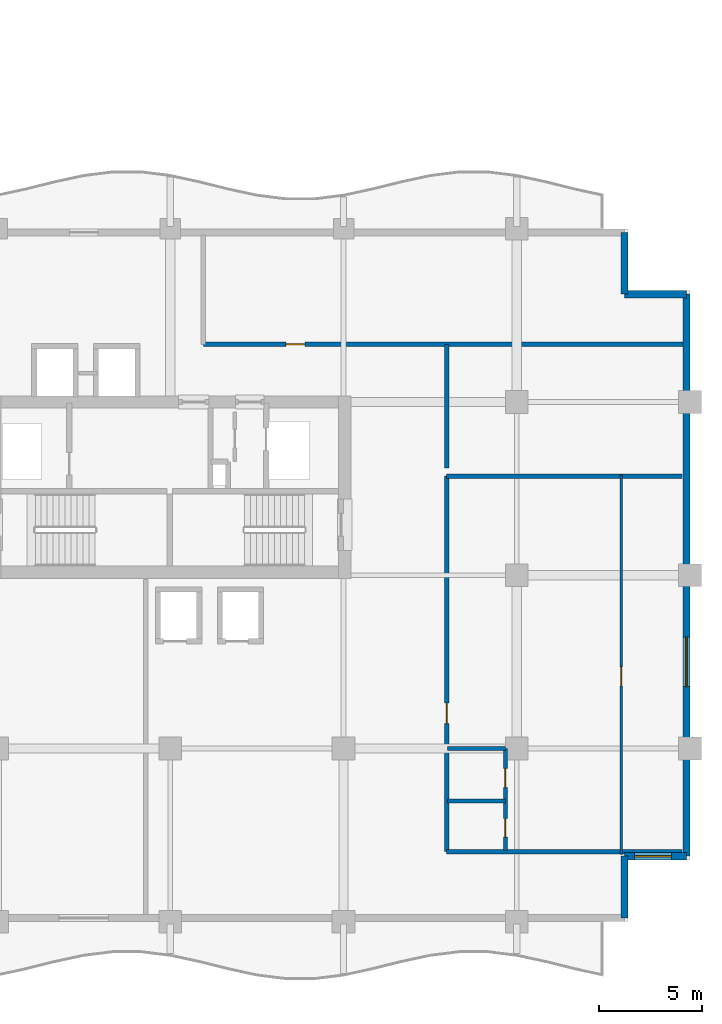
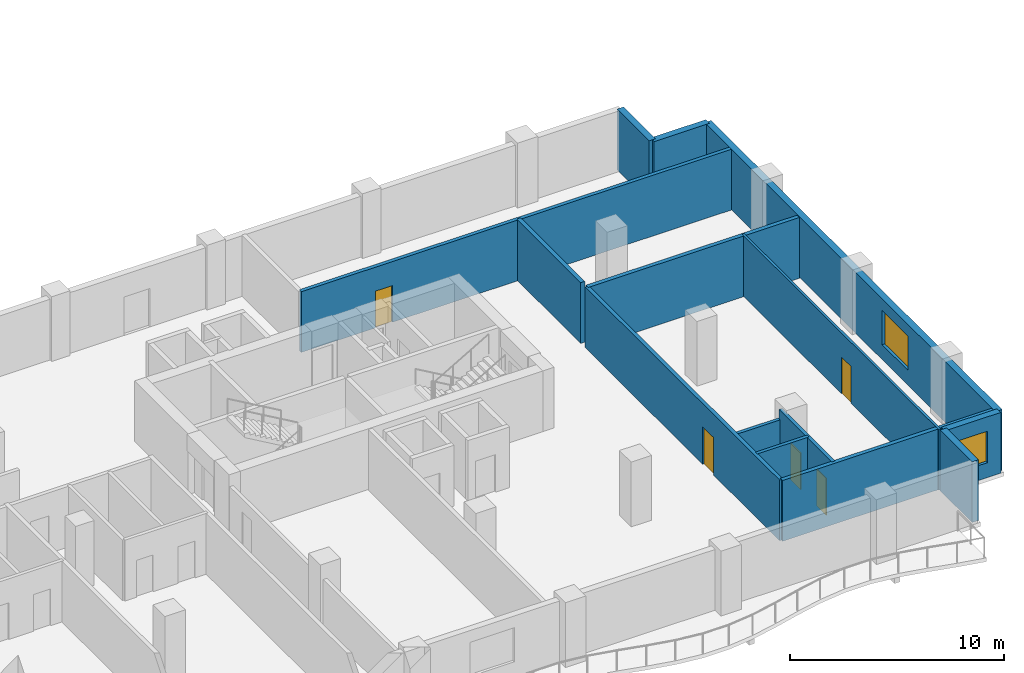
# One storey, part 8 of 14: 14 walls, 5 doors, 2 windows, 7 openings.
"""IFC4 building model written with IfcOpenShell, lengths in metres."""

from ifc_helpers import new_model, si_unit, direction, frame, frame_2d, origin, place, context, subcontext, project, spatial, rectangle, extrude, material, layer, layer_set, type_object, element, fill, save


model = new_model("IFC4")

# Units and contexts
model_context = context("Model", 3, precision=1e-05, world=origin(), true_north=direction((0.0, 1.0)))
body_context = subcontext(model_context, "Body", "Model", "MODEL_VIEW")
ifc_project = project(units=[si_unit("LENGTHUNIT", "METRE"), si_unit("AREAUNIT", "SQUARE_METRE"), si_unit("VOLUMEUNIT", "CUBIC_METRE"), si_unit("PLANEANGLEUNIT", "RADIAN"), si_unit("MASSUNIT", "GRAM", prefix="KILO")], contexts=[model_context])

# Site, building, storey
site_placement = place(None, origin())
site = spatial("IfcSite", under=ifc_project, at=site_placement, CompositionType="ELEMENT")
building_placement = place(site_placement, origin())
building = spatial("IfcBuilding", under=site, at=building_placement, Name="Koriwani Terraces Tower", CompositionType="ELEMENT")
storey_placement = place(building_placement, frame((0.0, 0.0, 208.699951171875)))
storey = spatial("IfcBuildingStorey", under=building, at=storey_placement, Name="L51", CompositionType="ELEMENT", Elevation=208.699951171875)

# Wall, opening, door
ifc_material_1 = material(Name="Autoclaved Cellular Concrete Blockwork", Category="masonry")
ifc_layer_1 = layer(ifc_material_1, 0.199951171875, Name="Autoclaved Cellular Concrete Blockwork")
ifc_layer_set_1 = layer_set([ifc_layer_1], Name="Autoclaved Cellular Concrete Blockwork")
wall_type_1 = type_object("IfcWallType", Name="WALL_CORRIDOR_200", PredefinedType="PARTITIONING", material=ifc_layer_set_1)
wall_1_placement = place(storey_placement, frame((63.800048828125, 3.39990234375, 0.0), z_axis=(0.0, 0.0, 1.0), x_axis=(0.0, 1.0, 0.0)))
wall_1 = element("IfcWall", 1, at=wall_1_placement, inside=storey, type_object=wall_type_1, Name="L51 Interior Wall WGB-L51-SETIP-W", PredefinedType="PARTITIONING", context=body_context, shape_type="SweptSolid", body=[
    extrude(rectangle(XDim=18.2001953125, YDim=0.199951171875, at=frame_2d((9.10009765625, 0.0))), origin(), (0.0, 0.0, 1.0), 3.469970703125),
])
opening_1_placement = place(wall_1_placement, frame((6.199951171875, 0.0, 0.0)))
opening_1 = element("IfcOpeningElement", 2, at=opening_1_placement, cuts=wall_1, Name="Opening D-05", PredefinedType="OPENING", context=body_context, shape_type="SweptSolid", body=[
    extrude(rectangle(XDim=1.0, YDim=2.14990234375, at=frame_2d((0.5, 1.074951171875))), frame((0.0, 0.10986328125, 0.0), z_axis=(0.0, -1.0, 0.0), x_axis=(1.0, 0.0, 0.0)), (0.0, 0.0, 1.0), 0.219970703125),
])
ifc_material_2 = material(Name="Architectural Oak Fire Door", Category="wood")
door_type_1 = type_object("IfcDoorType", Name="DOOR_SUITE_ENTRY_1000X2150", OperationType="NOTDEFINED", PredefinedType="DOOR", material=ifc_material_2)
door_1_placement = place(opening_1_placement, origin())
door_1 = element("IfcDoor", 3, at=door_1_placement, inside=storey, type_object=door_type_1, Name="Grand Apartment 51ET Entrance Door", OperationType="SINGLE_SWING_LEFT", OverallHeight=2.14990234375, OverallWidth=1.0, PredefinedType="DOOR", context=body_context, shape_type="SweptSolid", body=[
    extrude(rectangle(XDim=1.0, YDim=2.14990234375, at=frame_2d((0.5, 1.074951171875))), frame((0.0, 0.02490234375, 0.0), z_axis=(0.0, -1.0, 0.0), x_axis=(1.0, 0.0, 0.0)), (0.0, 0.0, 1.0), 0.050048828125),
])
fill(opening_1, door_1)

wall_2_placement = place(storey_placement, frame((52.0, 28.0, 0.0), z_axis=(0.0, 0.0, 1.0), x_axis=(1.0, 0.0, 0.0)))
wall_2 = element("IfcWall", 4, at=wall_2_placement, inside=storey, type_object=wall_type_1, Name="L51 Interior Wall WSET2-S-L51", PredefinedType="PARTITIONING", context=body_context, shape_type="SweptSolid", body=[
    extrude(rectangle(XDim=23.25, YDim=0.199951171875, at=frame_2d((11.625, 0.0))), origin(), (0.0, 0.0, 1.0), 3.469970703125),
])
opening_2_placement = place(wall_2_placement, frame((4.0, 0.0, 0.0)))
opening_2 = element("IfcOpeningElement", 5, at=opening_2_placement, cuts=wall_2, Name="Opening D-06", PredefinedType="OPENING", context=body_context, shape_type="SweptSolid", body=[
    extrude(rectangle(XDim=0.919921875, YDim=2.10009765625, at=frame_2d((0.4599609375, 1.050048828125))), frame((0.0, 0.10986328125, 0.0), z_axis=(0.0, -1.0, 0.0), x_axis=(1.0, 0.0, 0.0)), (0.0, 0.0, 1.0), 0.219970703125),
])
door_type_2 = type_object("IfcDoorType", Name="DOOR_ROOM_INT_920X2100", OperationType="NOTDEFINED", PredefinedType="DOOR", material=ifc_material_2)
door_2_placement = place(opening_2_placement, origin())
door_2 = element("IfcDoor", 6, at=door_2_placement, inside=storey, type_object=door_type_2, Name="L51 East Court Salon Door", OperationType="SINGLE_SWING_LEFT", OverallHeight=2.10009765625, OverallWidth=0.919921875, PredefinedType="DOOR", context=body_context, shape_type="SweptSolid", body=[
    extrude(rectangle(XDim=0.919921875, YDim=2.10009765625, at=frame_2d((0.4599609375, 1.050048828125))), frame((0.0, 0.02490234375, 0.0), z_axis=(0.0, -1.0, 0.0), x_axis=(1.0, 0.0, 0.0)), (0.0, 0.0, 1.0), 0.050048828125),
])
fill(opening_2, door_2)

# Walls
ifc_layer_2 = layer(ifc_material_1, 0.219970703125, Name="Autoclaved Cellular Concrete Blockwork")
ifc_layer_set_2 = layer_set([ifc_layer_2], Name="Autoclaved Cellular Concrete Blockwork")
wall_type_2 = type_object("IfcWallType", Name="WALL_DEMISING_220", PredefinedType="PARTITIONING", material=ifc_layer_set_2)
for number, where, z_axis, x_axis, name in (
    (7, (63.800048828125, 3.39990234375, 0.0), (0.0, 0.0, 1.0), (1.0, 0.0, 0.0), "L51 Interior Wall WGB-L51-SETIP-S"),
    (8, (63.800048828125, 21.60009765625, 0.0), (0.0, 0.0, 1.0), (1.0, 0.0, 0.0), "L51 Interior Wall WGB-L51-SETIP-N"),
):
    element("IfcWall", number, at=place(storey_placement, frame(where, z_axis=z_axis, x_axis=x_axis)), inside=storey, type_object=wall_type_2, Name=name, PredefinedType="PARTITIONING", context=body_context, shape_type="SweptSolid", body=[
        extrude(rectangle(XDim=11.419921875, YDim=0.219970703125, at=frame_2d((5.7099609375, 0.0))), origin(), (0.0, 0.0, 1.0), 3.469970703125),
    ])
wall_3_placement = place(storey_placement, frame((63.800048828125, 22.0, 0.0), z_axis=(0.0, 0.0, 1.0), x_axis=(0.0, 1.0, 0.0)))
element("IfcWall", 9, at=wall_3_placement, inside=storey, type_object=wall_type_2, Name="L51 Interior Wall WSET2-SW-L51", PredefinedType="PARTITIONING", context=body_context, shape_type="SweptSolid", body=[
    extrude(rectangle(XDim=6.0, YDim=0.219970703125, at=frame_2d((3.0, 0.0))), origin(), (0.0, 0.0, 1.0), 3.469970703125),
])
ifc_material_3 = material(Name="Concrete C50/60", Category="concrete")
ifc_layer_3 = layer(ifc_material_3, 0.35009765625, Name="Concrete C50/60")
ifc_layer_set_3 = layer_set([ifc_layer_3], Name="Concrete C50/60")
wall_type_3 = type_object("IfcWallType", Name="WALL_EXT_BRUTALIST_350", PredefinedType="STANDARD", material=ifc_layer_set_3)
for number, where, z_axis, x_axis, name in (
    (10, (72.425048828125, 33.425048828125, 0.0), (0.0, 0.0, 1.0), (0.0, -1.0, 0.0), "L51 Fair-Faced Brutalist Exterior Wall (N10)"),
    (11, (72.425048828125, 30.425048828125, 0.0), (0.0, 0.0, 1.0), (1.0, 0.0, 0.0), "L51 Fair-Faced Brutalist Exterior Wall (N11)"),
):
    element("IfcWall", number, at=place(storey_placement, frame(where, z_axis=z_axis, x_axis=x_axis)), inside=storey, type_object=wall_type_3, Name=name, PredefinedType="STANDARD", context=body_context, shape_type="SweptSolid", body=[
        extrude(rectangle(XDim=3.0, YDim=0.35009765625, at=frame_2d((1.5, 0.0))), origin(), (0.0, 0.0, 1.0), 3.469970703125),
    ])

# Wall, opening, window
wall_4_placement = place(storey_placement, frame((75.425048828125, 30.425048828125, 0.0), z_axis=(0.0, 0.0, 1.0), x_axis=(0.0, -1.0, 0.0)))
wall_4 = element("IfcWall", 12, at=wall_4_placement, inside=storey, type_object=wall_type_3, Name="L51 Fair-Faced Brutalist Exterior Wall (E_TIP)", PredefinedType="STANDARD", context=body_context, shape_type="SweptSolid", body=[
    extrude(rectangle(XDim=27.25, YDim=0.35009765625, at=frame_2d((13.625, 0.0))), origin(), (0.0, 0.0, 1.0), 3.469970703125),
])
opening_3_placement = place(wall_4_placement, frame((16.625, 0.0, 0.85009765625)))
opening_3 = element("IfcOpeningElement", 13, at=opening_3_placement, cuts=wall_4, Name="Opening W-03", PredefinedType="OPENING", context=body_context, shape_type="SweptSolid", body=[
    extrude(rectangle(XDim=2.39990234375, YDim=1.949951171875, at=frame_2d((1.199951171875, 0.97509765625))), frame((0.0, 0.18505859375, 0.0), z_axis=(0.0, -1.0, 0.0), x_axis=(1.0, 0.0, 0.0)), (0.0, 0.0, 1.0), 0.3701171875),
])
ifc_material_4 = material(Name="Tempered Laminated Low-E Glass", Category="glass")
window_type_1 = type_object("IfcWindowType", Name="WIN_RES_LIVING_2400X1950", PartitioningType="DOUBLE_PANEL_VERTICAL", PredefinedType="WINDOW", material=ifc_material_4)
window_1_placement = place(opening_3_placement, origin())
window_1 = element("IfcWindow", 14, at=window_1_placement, inside=storey, type_object=window_type_1, Name="L51 Exterior Window (E_TIP-3)", OverallHeight=1.949951171875, OverallWidth=2.39990234375, PartitioningType="SINGLE_PANEL", PredefinedType="WINDOW", context=body_context, shape_type="SweptSolid", body=[
    extrude(rectangle(XDim=2.39990234375, YDim=1.949951171875, at=frame_2d((1.199951171875, 0.97509765625))), frame((0.0, 0.030029296875, 0.0), z_axis=(0.0, -1.0, 0.0), x_axis=(1.0, 0.0, 0.0)), (0.0, 0.0, 1.0), 0.06005859375),
])
fill(opening_3, window_1)

wall_5_placement = place(storey_placement, frame((75.425048828125, 3.175048828125, 0.0), z_axis=(0.0, 0.0, 1.0), x_axis=(-1.0, 0.0, 0.0)))
wall_5 = element("IfcWall", 15, at=wall_5_placement, inside=storey, type_object=wall_type_3, Name="L51 Fair-Faced Brutalist Exterior Wall (N13)", PredefinedType="STANDARD", context=body_context, shape_type="SweptSolid", body=[
    extrude(rectangle(XDim=3.0, YDim=0.35009765625, at=frame_2d((1.5, 0.0))), origin(), (0.0, 0.0, 1.0), 3.469970703125),
])
opening_4_placement = place(wall_5_placement, frame((0.7275390625, 0.0, 0.85009765625)))
opening_4 = element("IfcOpeningElement", 16, at=opening_4_placement, cuts=wall_5, Name="Opening W-04", PredefinedType="OPENING", context=body_context, shape_type="SweptSolid", body=[
    extrude(rectangle(XDim=1.800048828125, YDim=1.800048828125, at=frame_2d((0.89990234375, 0.89990234375))), frame((0.0, 0.18505859375, 0.0), z_axis=(0.0, -1.0, 0.0), x_axis=(1.0, 0.0, 0.0)), (0.0, 0.0, 1.0), 0.3701171875),
])
window_type_2 = type_object("IfcWindowType", Name="WIN_RES_BED_1800X1800", PartitioningType="DOUBLE_PANEL_VERTICAL", PredefinedType="WINDOW", material=ifc_material_4)
window_2_placement = place(opening_4_placement, origin())
window_2 = element("IfcWindow", 17, at=window_2_placement, inside=storey, type_object=window_type_2, Name="L51 Exterior Window (N13-R53)", OverallHeight=1.800048828125, OverallWidth=1.800048828125, PartitioningType="SINGLE_PANEL", PredefinedType="WINDOW", context=body_context, shape_type="SweptSolid", body=[
    extrude(rectangle(XDim=1.800048828125, YDim=1.800048828125, at=frame_2d((0.89990234375, 0.89990234375))), frame((0.0, 0.030029296875, 0.0), z_axis=(0.0, -1.0, 0.0), x_axis=(1.0, 0.0, 0.0)), (0.0, 0.0, 1.0), 0.06005859375),
])
fill(opening_4, window_2)

# Wall
wall_6_placement = place(storey_placement, frame((72.425048828125, 3.175048828125, 0.0), z_axis=(0.0, 0.0, 1.0), x_axis=(0.0, -1.0, 0.0)))
element("IfcWall", 18, at=wall_6_placement, inside=storey, type_object=wall_type_3, Name="L51 Fair-Faced Brutalist Exterior Wall (N14)", PredefinedType="STANDARD", context=body_context, shape_type="SweptSolid", body=[
    extrude(rectangle(XDim=3.0, YDim=0.35009765625, at=frame_2d((1.5, 0.0))), origin(), (0.0, 0.0, 1.0), 3.469970703125),
])

# Wall, opening, door
ifc_material_5 = material(Name="Fire-Rated Acoustic Gypsum Partition", Category="masonry")
ifc_layer_4 = layer(ifc_material_5, 0.125, Name="Fire-Rated Acoustic Gypsum Partition")
ifc_layer_set_4 = layer_set([ifc_layer_4], Name="Fire-Rated Acoustic Gypsum Partition")
wall_type_4 = type_object("IfcWallType", Name="WALL_INT_125", PredefinedType="PARTITIONING", material=ifc_layer_set_4)
wall_7_placement = place(storey_placement, frame((72.27001953125, 3.25, 0.0), z_axis=(0.0, 0.0, 1.0), x_axis=(0.0, 1.0, 0.0)))
wall_7 = element("IfcWall", 19, at=wall_7_placement, inside=storey, type_object=wall_type_4, Name="L51 Interior Wall WGB-L51-SETIP-BD", PredefinedType="PARTITIONING", context=body_context, shape_type="SweptSolid", body=[
    extrude(rectangle(XDim=18.39990234375, YDim=0.125, at=frame_2d((9.199951171875, 0.0))), origin(), (0.0, 0.0, 1.0), 3.469970703125),
])
opening_5_placement = place(wall_7_placement, frame((8.18994140625, 0.0, 0.0)))
opening_5 = element("IfcOpeningElement", 20, at=opening_5_placement, cuts=wall_7, Name="Opening D-06", PredefinedType="OPENING", context=body_context, shape_type="SweptSolid", body=[
    extrude(rectangle(XDim=0.919921875, YDim=2.10009765625, at=frame_2d((0.4599609375, 1.050048828125))), frame((0.0, 0.072509765625, 0.0), z_axis=(0.0, -1.0, 0.0), x_axis=(1.0, 0.0, 0.0)), (0.0, 0.0, 1.0), 0.14501953125),
])
door_3_placement = place(opening_5_placement, origin())
door_3 = element("IfcDoor", 21, at=door_3_placement, inside=storey, type_object=door_type_2, Name="Grand Apartment 51ET Master Suite Door", OperationType="SINGLE_SWING_RIGHT", OverallHeight=2.10009765625, OverallWidth=0.919921875, PredefinedType="DOOR", context=body_context, shape_type="SweptSolid", body=[
    extrude(rectangle(XDim=0.919921875, YDim=2.10009765625, at=frame_2d((0.4599609375, 1.050048828125))), frame((0.0, 0.02490234375, 0.0), z_axis=(0.0, -1.0, 0.0), x_axis=(1.0, 0.0, 0.0)), (0.0, 0.0, 1.0), 0.050048828125),
])
fill(opening_5, door_3)

# Wall, openings, doors
ifc_layer_5 = layer(ifc_material_5, 0.179931640625, Name="Fire-Rated Acoustic Gypsum Partition")
ifc_layer_set_5 = layer_set([ifc_layer_5], Name="Fire-Rated Acoustic Gypsum Partition")
wall_type_5 = type_object("IfcWallType", Name="WALL_PLUMBING_180", PredefinedType="PLUMBINGWALL", material=ifc_layer_set_5)
wall_8_placement = place(storey_placement, frame((66.64990234375, 3.449951171875, 0.0), z_axis=(0.0, 0.0, 1.0), x_axis=(0.0, 1.0, 0.0)))
wall_8 = element("IfcWall", 22, at=wall_8_placement, inside=storey, type_object=wall_type_5, Name="L51 Interior Wall WGB-L51-SETIP-SVB", PredefinedType="PLUMBINGWALL", context=body_context, shape_type="SweptSolid", body=[
    extrude(rectangle(XDim=4.949951171875, YDim=0.179931640625, at=frame_2d((2.47509765625, 0.0))), origin(), (0.0, 0.0, 1.0), 3.469970703125),
])
opening_6_placement = place(wall_8_placement, frame((0.64990234375, 0.0, 0.0)))
opening_6 = element("IfcOpeningElement", 23, at=opening_6_placement, cuts=wall_8, Name="Opening D-07", PredefinedType="OPENING", context=body_context, shape_type="SweptSolid", body=[
    extrude(rectangle(XDim=0.89990234375, YDim=2.10009765625, at=frame_2d((0.449951171875, 1.050048828125))), frame((0.0, 0.10009765625, 0.0), z_axis=(0.0, -1.0, 0.0), x_axis=(1.0, 0.0, 0.0)), (0.0, 0.0, 1.0), 0.199951171875),
])
opening_7_placement = place(wall_8_placement, frame((3.050048828125, 0.0, 0.0)))
opening_7 = element("IfcOpeningElement", 24, at=opening_7_placement, cuts=wall_8, Name="Opening D-06", PredefinedType="OPENING", context=body_context, shape_type="SweptSolid", body=[
    extrude(rectangle(XDim=0.919921875, YDim=2.10009765625, at=frame_2d((0.4599609375, 1.050048828125))), frame((0.0, 0.10009765625, 0.0), z_axis=(0.0, -1.0, 0.0), x_axis=(1.0, 0.0, 0.0)), (0.0, 0.0, 1.0), 0.199951171875),
])
door_type_3 = type_object("IfcDoorType", Name="DOOR_BATH_INT_900X2100", OperationType="NOTDEFINED", PredefinedType="DOOR", material=ifc_material_2)
door_4_placement = place(opening_6_placement, origin())
door_4 = element("IfcDoor", 25, at=door_4_placement, inside=storey, type_object=door_type_3, Name="Grand Apartment 51ET Bathroom Door", OperationType="SINGLE_SWING_RIGHT", OverallHeight=2.10009765625, OverallWidth=0.89990234375, PredefinedType="DOOR", context=body_context, shape_type="SweptSolid", body=[
    extrude(rectangle(XDim=0.89990234375, YDim=2.10009765625, at=frame_2d((0.449951171875, 1.050048828125))), frame((0.0, 0.02490234375, 0.0), z_axis=(0.0, -1.0, 0.0), x_axis=(1.0, 0.0, 0.0)), (0.0, 0.0, 1.0), 0.050048828125),
])
fill(opening_6, door_4)
door_5_placement = place(opening_7_placement, origin())
door_5 = element("IfcDoor", 26, at=door_5_placement, inside=storey, type_object=door_type_2, Name="Grand Apartment 51ET Kitchen Door", OperationType="SINGLE_SWING_LEFT", OverallHeight=2.10009765625, OverallWidth=0.919921875, PredefinedType="DOOR", context=body_context, shape_type="SweptSolid", body=[
    extrude(rectangle(XDim=0.919921875, YDim=2.10009765625, at=frame_2d((0.4599609375, 1.050048828125))), frame((0.0, 0.02490234375, 0.0), z_axis=(0.0, -1.0, 0.0), x_axis=(1.0, 0.0, 0.0)), (0.0, 0.0, 1.0), 0.050048828125),
])
fill(opening_7, door_5)

# Walls
wall_9_placement = place(storey_placement, frame((63.85009765625, 5.85009765625, 0.0), z_axis=(0.0, 0.0, 1.0), x_axis=(1.0, 0.0, 0.0)))
element("IfcWall", 27, at=wall_9_placement, inside=storey, type_object=wall_type_5, Name="L51 Interior Wall WGB-L51-SETIP-SVM", PredefinedType="PLUMBINGWALL", context=body_context, shape_type="SweptSolid", body=[
    extrude(rectangle(XDim=2.7998046875, YDim=0.179931640625, at=frame_2d((1.39990234375, 0.0))), origin(), (0.0, 0.0, 1.0), 3.469970703125),
])
wall_10_placement = place(storey_placement, frame((63.85009765625, 8.39990234375, 0.0), z_axis=(0.0, 0.0, 1.0), x_axis=(1.0, 0.0, 0.0)))
element("IfcWall", 28, at=wall_10_placement, inside=storey, type_object=wall_type_5, Name="L51 Interior Wall WGB-L51-SETIP-SV2", PredefinedType="PLUMBINGWALL", context=body_context, shape_type="SweptSolid", body=[
    extrude(rectangle(XDim=2.7998046875, YDim=0.179931640625, at=frame_2d((1.39990234375, 0.0))), origin(), (0.0, 0.0, 1.0), 2.927001953125),
])

save(model, "model.ifc")
